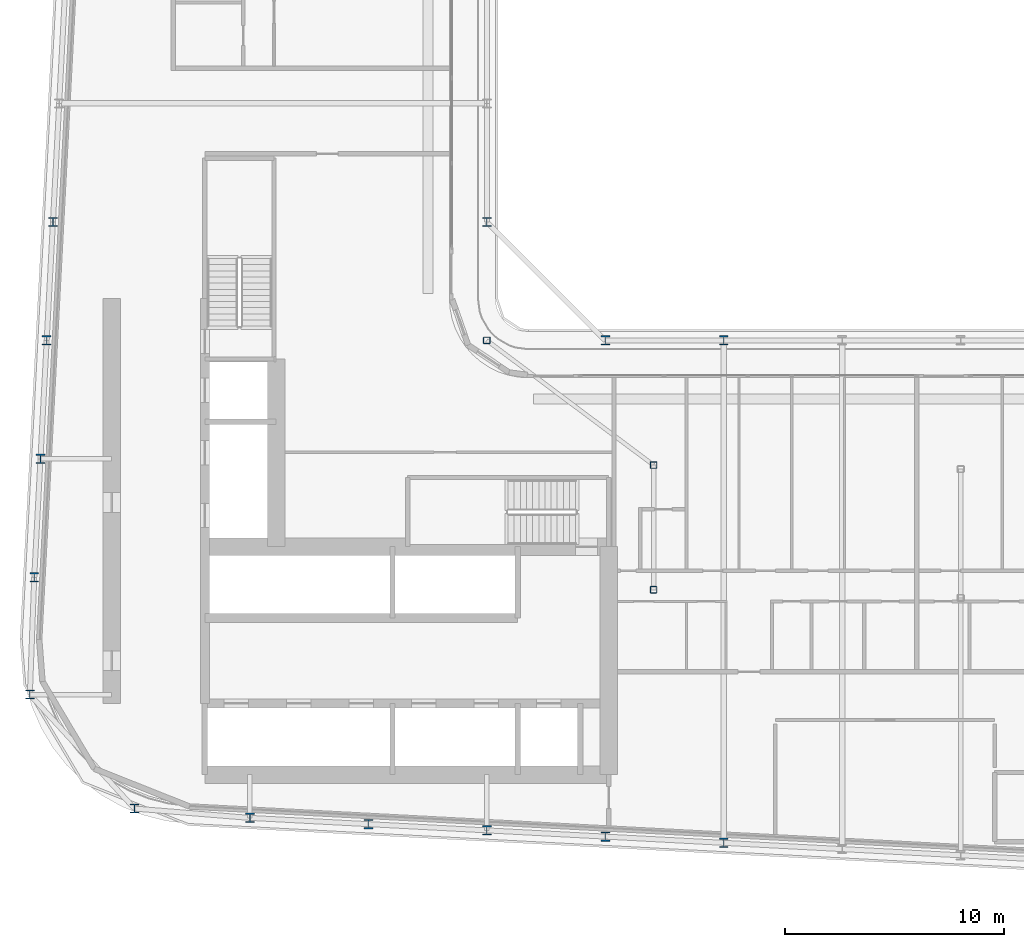
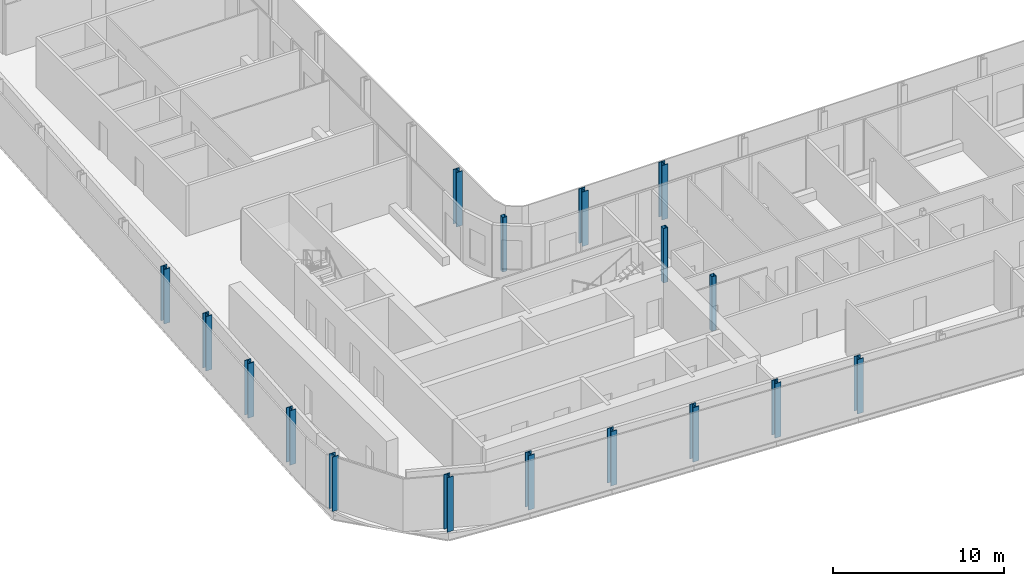
# One storey, part 1 of 30: 17 columns.
"""IFC4 building model written with IfcOpenShell, lengths in metres."""

from ifc_helpers import new_model, si_unit, direction, frame, origin, origin_2d, place, context, subcontext, project, spatial, hollow_rectangle, i_section, extrude, material, material_profile, profile_set, type_object, element, save


model = new_model("IFC4")

# Units and contexts
model_context = context("Model", 3, precision=1e-05, world=origin(), true_north=direction((0.0, 1.0)))
body_context = subcontext(model_context, "Body", "Model", "MODEL_VIEW")
ifc_project = project(units=[si_unit("LENGTHUNIT", "METRE"), si_unit("AREAUNIT", "SQUARE_METRE"), si_unit("VOLUMEUNIT", "CUBIC_METRE"), si_unit("PLANEANGLEUNIT", "RADIAN"), si_unit("MASSUNIT", "GRAM", prefix="KILO")], contexts=[model_context])

# Site, building, storey
site_placement = place(None, origin())
site = spatial("IfcSite", under=ifc_project, at=site_placement, CompositionType="ELEMENT")
building_placement = place(site_placement, origin())
building = spatial("IfcBuilding", under=site, at=building_placement, Name="Kheshtan School and Residences Tower", CompositionType="ELEMENT")
storey_placement = place(building_placement, frame((0.0, 0.0, 195.5)))
storey = spatial("IfcBuildingStorey", under=building, at=storey_placement, Name="L46", CompositionType="ELEMENT", Elevation=195.5)

# Columns
ifc_material_1 = material(Name="Steel ASTM A992 Grade 50", Category="steel")
ifc_material_profile_1 = material_profile(ifc_material_1, i_section(OverallWidth=0.408935546875, OverallDepth=0.425048828125, WebThickness=0.03271484375, FlangeThickness=0.052490234375, FilletRadius=0.0126953125, at=origin_2d()), Name="W360x421")
ifc_profile_set_1 = profile_set([ifc_material_profile_1], Name="Steel ASTM A992 Grade 50")
column_type_1 = type_object("IfcColumnType", Name="Column C3 W360x421 ASTM A992 Grade 50", PredefinedType="COLUMN", material=ifc_profile_set_1)
for number, where, z_axis, x_axis, name in (
    (1, (58.39990234375, 22.695068359375, 0.0), (0.0, 0.0, 1.0), (1.0, 0.0, 0.0), "Column C018"),
    (2, (53.0, 22.97998046875, 0.0), (0.0, 0.0, 1.0), (1.0, 0.0, 0.0), "Column C019"),
    (3, (47.60009765625, 23.263916015625, 0.0), (0.0, 0.0, 1.0), (1.0, 0.0, 0.0), "Column C020"),
    (4, (42.199951171875, 23.548095703125, 0.0), (0.0, 0.0, 1.0), (1.0, 0.0, 0.0), "Column C021"),
    (5, (36.800048828125, 23.83203125, 0.0), (0.0, 0.0, 1.0), (1.0, 0.0, 0.0), "Column C022"),
    (6, (31.5419921875, 24.257080078125, 0.0), (0.0, 0.0, 1.0), (1.0, 0.0, 0.0), "Column C025"),
    (7, (26.76904296875, 29.4541015625, 0.0), (0.0, 0.0, 1.0), (1.0, 0.0, 0.0), "Column C038"),
    (8, (26.968994140625, 34.800048828125, 0.0), (0.0, 0.0, 1.0), (1.0, 0.0, 0.0), "Column C052"),
    (9, (27.2529296875, 40.199951171875, 0.0), (0.0, 0.0, 1.0), (1.0, 0.0, 0.0), "Column C056"),
    (10, (27.537109375, 45.60009765625, 0.0), (0.0, 0.0, 1.0), (1.0, 0.0, 0.0), "Column C059"),
    (11, (53.0, 45.60009765625, 0.0), (0.0, 0.0, 1.0), (1.0, 0.0, 0.0), "Column C061"),
    (12, (58.39990234375, 45.60009765625, 0.0), (0.0, 0.0, 1.0), (1.0, 0.0, 0.0), "Column C062"),
    (13, (27.822021484375, 51.0, 0.0), (0.0, 0.0, 1.0), (1.0, 0.0, 0.0), "Column C078"),
    (14, (47.60009765625, 51.0, 0.0), (0.0, 0.0, 1.0), (1.0, 0.0, 0.0), "Column C079"),
):
    element("IfcColumn", number, at=place(storey_placement, frame(where, z_axis=z_axis, x_axis=x_axis)), inside=storey, type_object=column_type_1, Name=name, PredefinedType="COLUMN", context=body_context, shape_type="SweptSolid", body=[
        extrude(i_section(OverallWidth=0.408935546875, OverallDepth=0.425048828125, WebThickness=0.03271484375, FlangeThickness=0.052490234375, FilletRadius=0.0126953125, at=origin_2d()), origin(), (0.0, 0.0, 1.0), 3.89990234375),
    ])
ifc_material_2 = material(Name="Steel ASTM A500 Grade C", Category="steel")
ifc_material_profile_2 = material_profile(ifc_material_2, hollow_rectangle(XDim=0.304931640625, YDim=0.304931640625, WallThickness=0.015869140625, InnerFilletRadius=0.015869140625, OuterFilletRadius=0.03173828125, at=origin_2d()), Name="HSS 305x305x15.9")
ifc_profile_set_2 = profile_set([ifc_material_profile_2], Name="Steel ASTM A500 Grade C")
column_type_2 = type_object("IfcColumnType", Name="Column IC2 HSS 305x305x15.9 ASTM A500 Grade C", PredefinedType="COLUMN", material=ifc_profile_set_2)
for number, where, z_axis, x_axis, name in (
    (15, (55.199951171875, 34.23193359375, 0.0), (0.0, 0.0, 1.0), (1.0, 0.0, 0.0), "Column C051"),
    (16, (55.199951171875, 39.916015625, 0.0), (0.0, 0.0, 1.0), (1.0, 0.0, 0.0), "Column C055"),
    (17, (47.60009765625, 45.60009765625, 0.0), (0.0, 0.0, 1.0), (1.0, 0.0, 0.0), "Column C060"),
):
    element("IfcColumn", number, at=place(storey_placement, frame(where, z_axis=z_axis, x_axis=x_axis)), inside=storey, type_object=column_type_2, Name=name, PredefinedType="COLUMN", context=body_context, shape_type="SweptSolid", body=[
        extrude(hollow_rectangle(XDim=0.304931640625, YDim=0.304931640625, WallThickness=0.015869140625, InnerFilletRadius=0.015869140625, OuterFilletRadius=0.03173828125, at=origin_2d()), origin(), (0.0, 0.0, 1.0), 3.89990234375),
    ])

save(model, "model.ifc")
